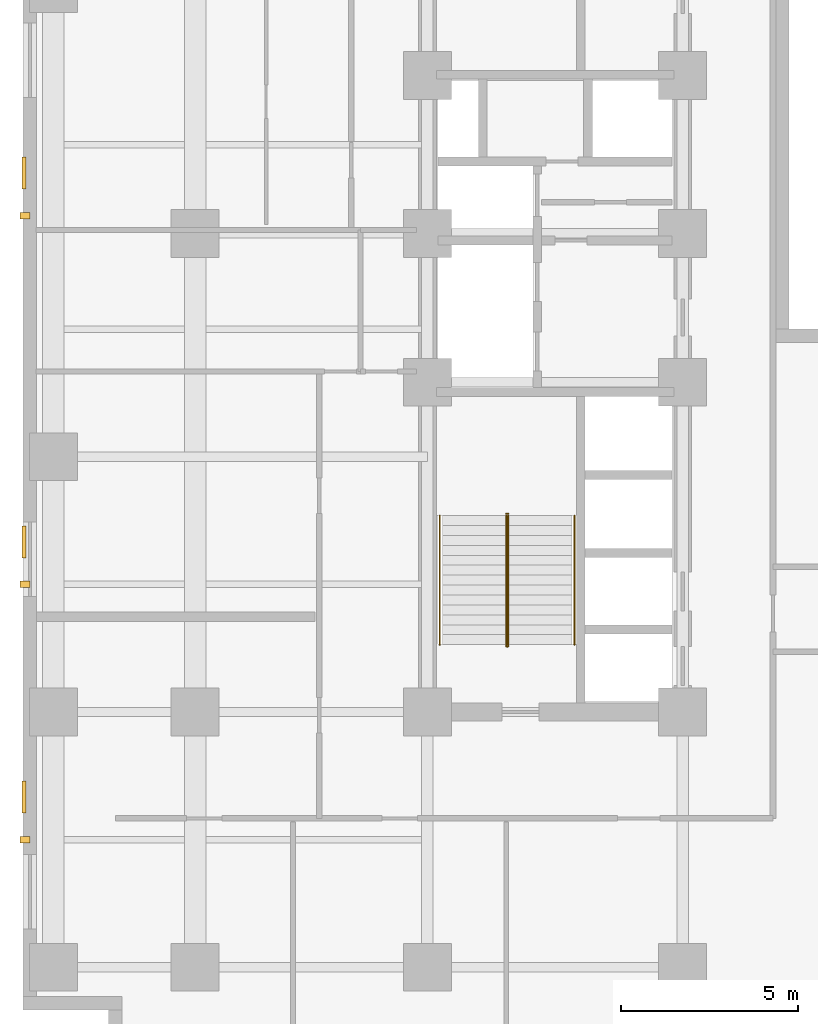
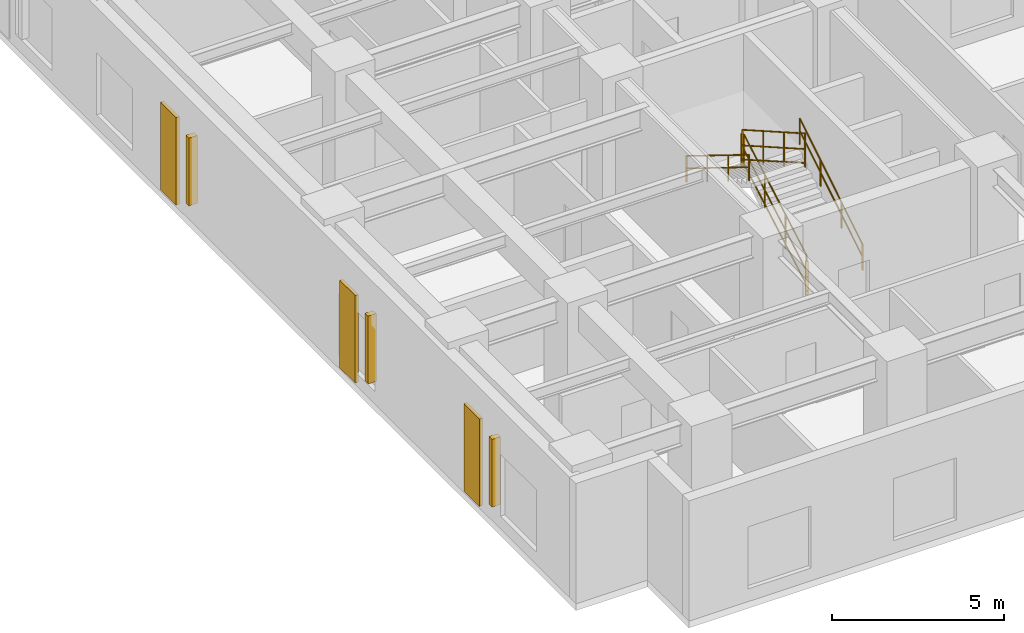
# One storey, part 7 of 9: 6 railings, 3 coverings, 3 shading devices.
"""IFC4 building model written with IfcOpenShell, lengths in metres."""

from ifc_helpers import new_model, entity, si_unit, converted_unit, direction, frame, origin_with_axes, origin_2d_with_axis, place, context, subcontext, project, spatial, rectangle, circle, extrude, material, layer, layer_set, type_object, element, save


model = new_model("IFC4")

# Units and contexts
model_context = context("Model", 3, precision=1e-05, world=origin_with_axes(), true_north=direction((0.0, 1.0)))
body_context = subcontext(model_context, "Body", "Model", "MODEL_VIEW")
ifc_project = project(units=[si_unit("LENGTHUNIT", "METRE"), si_unit("AREAUNIT", "SQUARE_METRE"), si_unit("VOLUMEUNIT", "CUBIC_METRE"), converted_unit("PLANEANGLEUNIT", "DEGREE", entity("IfcPlaneAngleMeasure", 0.017453292519943295), si_unit("PLANEANGLEUNIT", "RADIAN"), dimensions=[0, 0, 0, 0, 0, 0, 0]), si_unit("MASSUNIT", "GRAM", prefix="KILO"), si_unit("THERMODYNAMICTEMPERATUREUNIT", "KELVIN")], contexts=[model_context])

# Site, building, storey
site_placement = place(None, origin_with_axes())
site = spatial("IfcSite", under=ifc_project, at=site_placement, CompositionType="ELEMENT")
building_placement = place(site_placement, origin_with_axes())
building = spatial("IfcBuilding", under=site, at=building_placement, Name="Varnlund Millrace Tower", CompositionType="ELEMENT")
storey_placement = place(building_placement, frame((0.0, 0.0, 84.6), z_axis=(0.0, 0.0, 1.0), x_axis=(1.0, 0.0, 0.0)))
storey = spatial("IfcBuildingStorey", under=building, at=storey_placement, Name="L20", CompositionType="ELEMENT", Elevation=84.6)

# Coverings
ifc_material_1 = material(Name="Precast concrete C50/60", Category="concrete")
ifc_layer = layer(ifc_material_1, 0.11, Name="Precast concrete C50/60")
ifc_layer_set = layer_set([ifc_layer], Name="Precast concrete C50/60")
covering_type = type_object("IfcCoveringType", Name="Type-Cladding-KasotaPier-110", PredefinedType="CLADDING", material=ifc_layer_set)
for number, where, z_axis, x_axis, name in (
    (1, (0.02, 8.4, 0.1), (0.0, 0.0, 1.0), (1.0, 0.0, 0.0), "Type-Cladding-KasotaPier-110"),
    (2, (0.02, 15.6, 0.1), (0.0, 0.0, 1.0), (1.0, 0.0, 0.0), "Type-Cladding-KasotaPier-110"),
    (3, (0.02, 26.0, 0.1), (0.0, 0.0, 1.0), (1.0, 0.0, 0.0), "Type-Cladding-KasotaPier-110"),
):
    element("IfcCovering", number, at=place(storey_placement, frame(where, z_axis=z_axis, x_axis=x_axis)), inside=storey, type_object=covering_type, Name=name, PredefinedType="CLADDING", context=body_context, shape_type="SweptSolid", body=[
        extrude(rectangle(XDim=0.11, YDim=0.9, at=origin_2d_with_axis()), origin_with_axes(), (0.0, 0.0, 1.0), 3.1),
    ])

# Shading devices
ifc_material_2 = material(Name="Architectural bronze fluted spandrel fin", Category="aluminium")
shading_device_type = type_object("IfcShadingDeviceType", Name="Type-Shade-ArtDecoFin", PredefinedType="USERDEFINED", material=ifc_material_2)
for number, where, z_axis, x_axis, name in (
    (4, (0.05, 7.2, 0.6), (0.0, 0.0, 1.0), (1.0, 0.0, 0.0), "Type-Shade-ArtDecoFin"),
    (5, (0.05, 14.4, 0.6), (0.0, 0.0, 1.0), (1.0, 0.0, 0.0), "Type-Shade-ArtDecoFin"),
    (6, (0.05, 24.8, 0.6), (0.0, 0.0, 1.0), (1.0, 0.0, 0.0), "Type-Shade-ArtDecoFin"),
):
    element("IfcShadingDevice", number, at=place(storey_placement, frame(where, z_axis=z_axis, x_axis=x_axis)), inside=storey, type_object=shading_device_type, Name=name, ObjectType="FIN", PredefinedType="USERDEFINED", context=body_context, shape_type="SweptSolid", body=[
        extrude(rectangle(XDim=0.28, YDim=0.18, at=origin_2d_with_axis()), origin_with_axes(), (0.0, 0.0, 1.0), 2.4),
    ])

# Railings
ifc_material_3 = material(Name="Painted steel stair well balustrade guard", Category="steel")
railing_type_1 = type_object("IfcRailingType", Name="Type-StairGuard-1150", PredefinedType="GUARDRAIL", material=ifc_material_3)
railing_1_placement = place(storey_placement, frame((0.0, 0.0, -84.6), z_axis=(0.0, 0.0, 1.0), x_axis=(1.0, 0.0, 0.0)))
element("IfcRailing", 7, at=railing_1_placement, inside=storey, type_object=railing_type_1, Name="Type-StairGuard-1150", PredefinedType="GUARDRAIL", context=body_context, shape_type="SweptSolid", body=[
    extrude(circle(Radius=0.024, at=origin_2d_with_axis()), frame((13.675, 12.7, 85.923077), z_axis=(0.0, 0.868559, 0.495585), x_axis=(-1.0, 0.0, 0.0)), (0.0, 0.0, 1.0), 4.190848),
    extrude(circle(Radius=0.024, at=origin_2d_with_axis()), frame((13.675, 12.7, 84.873077), z_axis=(0.0, 0.868559, 0.495585), x_axis=(-1.0, 0.0, 0.0)), (0.0, 0.0, 1.0), 4.190848),
    extrude(circle(Radius=0.024, at=origin_2d_with_axis()), frame((13.675, 12.7, 85.371077), z_axis=(0.0, 0.868559, 0.495585), x_axis=(-1.0, 0.0, 0.0)), (0.0, 0.0, 1.0), 4.190848),
    extrude(rectangle(XDim=0.04, YDim=0.04, at=origin_2d_with_axis()), frame((13.675, 12.7, 84.733077), z_axis=(0.0, 0.0, 1.0), x_axis=(1.0, 0.0, 0.0)), (0.0, 0.0, 1.0), 1.19),
    extrude(rectangle(XDim=0.04, YDim=0.04, at=origin_2d_with_axis()), frame((13.675, 13.913333, 85.425385), z_axis=(0.0, 0.0, 1.0), x_axis=(1.0, 0.0, 0.0)), (0.0, 0.0, 1.0), 1.19),
    extrude(rectangle(XDim=0.04, YDim=0.04, at=origin_2d_with_axis()), frame((13.675, 15.126667, 86.117692), z_axis=(0.0, 0.0, 1.0), x_axis=(1.0, 0.0, 0.0)), (0.0, 0.0, 1.0), 1.19),
    extrude(rectangle(XDim=0.04, YDim=0.04, at=origin_2d_with_axis()), frame((13.675, 16.34, 86.81), z_axis=(0.0, 0.0, 1.0), x_axis=(1.0, 0.0, 0.0)), (0.0, 0.0, 1.0), 1.19),
])
railing_2_placement = place(storey_placement, frame((0.0, 0.0, -84.6), z_axis=(0.0, 0.0, 1.0), x_axis=(1.0, 0.0, 0.0)))
element("IfcRailing", 8, at=railing_2_placement, inside=storey, type_object=railing_type_1, Name="Type-StairGuard-1150", PredefinedType="GUARDRAIL", context=body_context, shape_type="SweptSolid", body=[
    extrude(circle(Radius=0.024, at=origin_2d_with_axis()), frame((13.625, 16.39, 88.0), z_axis=(1.0, 0.0, 0.0), x_axis=(0.0, 1.0, 0.0)), (0.0, 0.0, 1.0), 0.05),
    extrude(circle(Radius=0.024, at=origin_2d_with_axis()), frame((13.625, 16.39, 86.95), z_axis=(1.0, 0.0, 0.0), x_axis=(0.0, 1.0, 0.0)), (0.0, 0.0, 1.0), 0.05),
    extrude(circle(Radius=0.024, at=origin_2d_with_axis()), frame((13.625, 16.39, 87.448), z_axis=(1.0, 0.0, 0.0), x_axis=(0.0, 1.0, 0.0)), (0.0, 0.0, 1.0), 0.05),
    extrude(rectangle(XDim=0.04, YDim=0.04, at=origin_2d_with_axis()), frame((13.625, 16.39, 86.81), z_axis=(0.0, 0.0, 1.0), x_axis=(1.0, 0.0, 0.0)), (0.0, 0.0, 1.0), 1.19),
    extrude(rectangle(XDim=0.04, YDim=0.04, at=origin_2d_with_axis()), frame((13.675, 16.39, 86.81), z_axis=(0.0, 0.0, 1.0), x_axis=(1.0, 0.0, 0.0)), (0.0, 0.0, 1.0), 1.19),
])
railing_3_placement = place(storey_placement, frame((0.0, 0.0, -84.6), z_axis=(0.0, 0.0, 1.0), x_axis=(1.0, 0.0, 0.0)))
element("IfcRailing", 9, at=railing_3_placement, inside=storey, type_object=railing_type_1, Name="Type-StairGuard-1150", PredefinedType="GUARDRAIL", context=body_context, shape_type="SweptSolid", body=[
    extrude(circle(Radius=0.024, at=origin_2d_with_axis()), frame((13.625, 16.34, 88.173077), z_axis=(0.0, -0.868559, 0.495585), x_axis=(1.0, 0.0, 0.0)), (0.0, 0.0, 1.0), 4.190848),
    extrude(circle(Radius=0.024, at=origin_2d_with_axis()), frame((13.625, 16.34, 87.123077), z_axis=(0.0, -0.868559, 0.495585), x_axis=(1.0, 0.0, 0.0)), (0.0, 0.0, 1.0), 4.190848),
    extrude(circle(Radius=0.024, at=origin_2d_with_axis()), frame((13.625, 16.34, 87.621077), z_axis=(0.0, -0.868559, 0.495585), x_axis=(1.0, 0.0, 0.0)), (0.0, 0.0, 1.0), 4.190848),
    extrude(rectangle(XDim=0.04, YDim=0.04, at=origin_2d_with_axis()), frame((13.625, 16.34, 86.983077), z_axis=(0.0, 0.0, 1.0), x_axis=(1.0, 0.0, 0.0)), (0.0, 0.0, 1.0), 1.19),
    extrude(rectangle(XDim=0.04, YDim=0.04, at=origin_2d_with_axis()), frame((13.625, 15.126667, 87.675385), z_axis=(0.0, 0.0, 1.0), x_axis=(1.0, 0.0, 0.0)), (0.0, 0.0, 1.0), 1.19),
    extrude(rectangle(XDim=0.04, YDim=0.04, at=origin_2d_with_axis()), frame((13.625, 13.913333, 88.367692), z_axis=(0.0, 0.0, 1.0), x_axis=(1.0, 0.0, 0.0)), (0.0, 0.0, 1.0), 1.19),
    extrude(rectangle(XDim=0.04, YDim=0.04, at=origin_2d_with_axis()), frame((13.625, 12.7, 89.06), z_axis=(0.0, 0.0, 1.0), x_axis=(1.0, 0.0, 0.0)), (0.0, 0.0, 1.0), 1.19),
])
railing_4_placement = place(storey_placement, frame((0.0, 0.0, -84.6), z_axis=(0.0, 0.0, 1.0), x_axis=(1.0, 0.0, 0.0)))
element("IfcRailing", 10, at=railing_4_placement, inside=storey, type_object=railing_type_1, Name="Type-StairGuard-1150", PredefinedType="GUARDRAIL", context=body_context, shape_type="SweptSolid", body=[
    extrude(circle(Radius=0.024, at=origin_2d_with_axis()), frame((13.625, 12.65, 85.75), z_axis=(1.0, 0.0, 0.0), x_axis=(0.0, 1.0, 0.0)), (0.0, 0.0, 1.0), 0.05),
    extrude(circle(Radius=0.024, at=origin_2d_with_axis()), frame((13.625, 12.65, 84.7), z_axis=(1.0, 0.0, 0.0), x_axis=(0.0, 1.0, 0.0)), (0.0, 0.0, 1.0), 0.05),
    extrude(circle(Radius=0.024, at=origin_2d_with_axis()), frame((13.625, 12.65, 85.198), z_axis=(1.0, 0.0, 0.0), x_axis=(0.0, 1.0, 0.0)), (0.0, 0.0, 1.0), 0.05),
    extrude(rectangle(XDim=0.04, YDim=0.04, at=origin_2d_with_axis()), frame((13.625, 12.65, 84.56), z_axis=(0.0, 0.0, 1.0), x_axis=(1.0, 0.0, 0.0)), (0.0, 0.0, 1.0), 1.19),
    extrude(rectangle(XDim=0.04, YDim=0.04, at=origin_2d_with_axis()), frame((13.675, 12.65, 84.56), z_axis=(0.0, 0.0, 1.0), x_axis=(1.0, 0.0, 0.0)), (0.0, 0.0, 1.0), 1.19),
])
ifc_material_4 = material(Name="Brushed architectural bronze stair handrail", Category="aluminium")
railing_type_2 = type_object("IfcRailingType", Name="Type-StairHandrail-900", PredefinedType="HANDRAIL", material=ifc_material_4)
railing_5_placement = place(storey_placement, frame((0.0, 0.0, -84.6), z_axis=(0.0, 0.0, 1.0), x_axis=(1.0, 0.0, 0.0)))
element("IfcRailing", 11, at=railing_5_placement, inside=storey, type_object=railing_type_2, Name="Type-StairHandrail-900", PredefinedType="HANDRAIL", context=body_context, shape_type="SweptSolid", body=[
    extrude(circle(Radius=0.024, at=origin_2d_with_axis()), frame((15.55, 12.7, 85.652662), z_axis=(0.0, 0.850614, 0.525791), x_axis=(-1.0, 0.0, 0.0)), (0.0, 0.0, 1.0), 4.279264),
    extrude(circle(Radius=0.024, at=origin_2d_with_axis()), frame((15.55, 12.7, 85.21287), z_axis=(0.0, 0.850614, 0.525791), x_axis=(-1.0, 0.0, 0.0)), (0.0, 0.0, 1.0), 4.279264),
    extrude(rectangle(XDim=0.04, YDim=0.04, at=origin_2d_with_axis()), frame((15.55, 12.7, 84.733077), z_axis=(0.0, 0.0, 1.0), x_axis=(1.0, 0.0, 0.0)), (0.0, 0.0, 1.0), 0.919585),
    extrude(rectangle(XDim=0.04, YDim=0.04, at=origin_2d_with_axis()), frame((15.55, 13.913333, 85.483077), z_axis=(0.0, 0.0, 1.0), x_axis=(1.0, 0.0, 0.0)), (0.0, 0.0, 1.0), 0.919585),
    extrude(rectangle(XDim=0.04, YDim=0.04, at=origin_2d_with_axis()), frame((15.55, 15.126667, 86.233077), z_axis=(0.0, 0.0, 1.0), x_axis=(1.0, 0.0, 0.0)), (0.0, 0.0, 1.0), 0.919585),
    extrude(rectangle(XDim=0.04, YDim=0.04, at=origin_2d_with_axis()), frame((15.55, 16.34, 86.983077), z_axis=(0.0, 0.0, 1.0), x_axis=(1.0, 0.0, 0.0)), (0.0, 0.0, 1.0), 0.919585),
])
railing_6_placement = place(storey_placement, frame((0.0, 0.0, -84.6), z_axis=(0.0, 0.0, 1.0), x_axis=(1.0, 0.0, 0.0)))
element("IfcRailing", 12, at=railing_6_placement, inside=storey, type_object=railing_type_2, Name="Type-StairHandrail-900", PredefinedType="HANDRAIL", context=body_context, shape_type="SweptSolid", body=[
    extrude(circle(Radius=0.024, at=origin_2d_with_axis()), frame((11.75, 16.34, 87.902662), z_axis=(0.0, -0.850614, 0.525791), x_axis=(1.0, 0.0, 0.0)), (0.0, 0.0, 1.0), 4.279264),
    extrude(circle(Radius=0.024, at=origin_2d_with_axis()), frame((11.75, 16.34, 87.46287), z_axis=(0.0, -0.850614, 0.525791), x_axis=(1.0, 0.0, 0.0)), (0.0, 0.0, 1.0), 4.279264),
    extrude(rectangle(XDim=0.04, YDim=0.04, at=origin_2d_with_axis()), frame((11.75, 16.34, 86.983077), z_axis=(0.0, 0.0, 1.0), x_axis=(1.0, 0.0, 0.0)), (0.0, 0.0, 1.0), 0.919585),
    extrude(rectangle(XDim=0.04, YDim=0.04, at=origin_2d_with_axis()), frame((11.75, 15.126667, 87.733077), z_axis=(0.0, 0.0, 1.0), x_axis=(1.0, 0.0, 0.0)), (0.0, 0.0, 1.0), 0.919585),
    extrude(rectangle(XDim=0.04, YDim=0.04, at=origin_2d_with_axis()), frame((11.75, 13.913333, 88.483077), z_axis=(0.0, 0.0, 1.0), x_axis=(1.0, 0.0, 0.0)), (0.0, 0.0, 1.0), 0.919585),
    extrude(rectangle(XDim=0.04, YDim=0.04, at=origin_2d_with_axis()), frame((11.75, 12.7, 89.233077), z_axis=(0.0, 0.0, 1.0), x_axis=(1.0, 0.0, 0.0)), (0.0, 0.0, 1.0), 0.919585),
])

save(model, "model.ifc")
